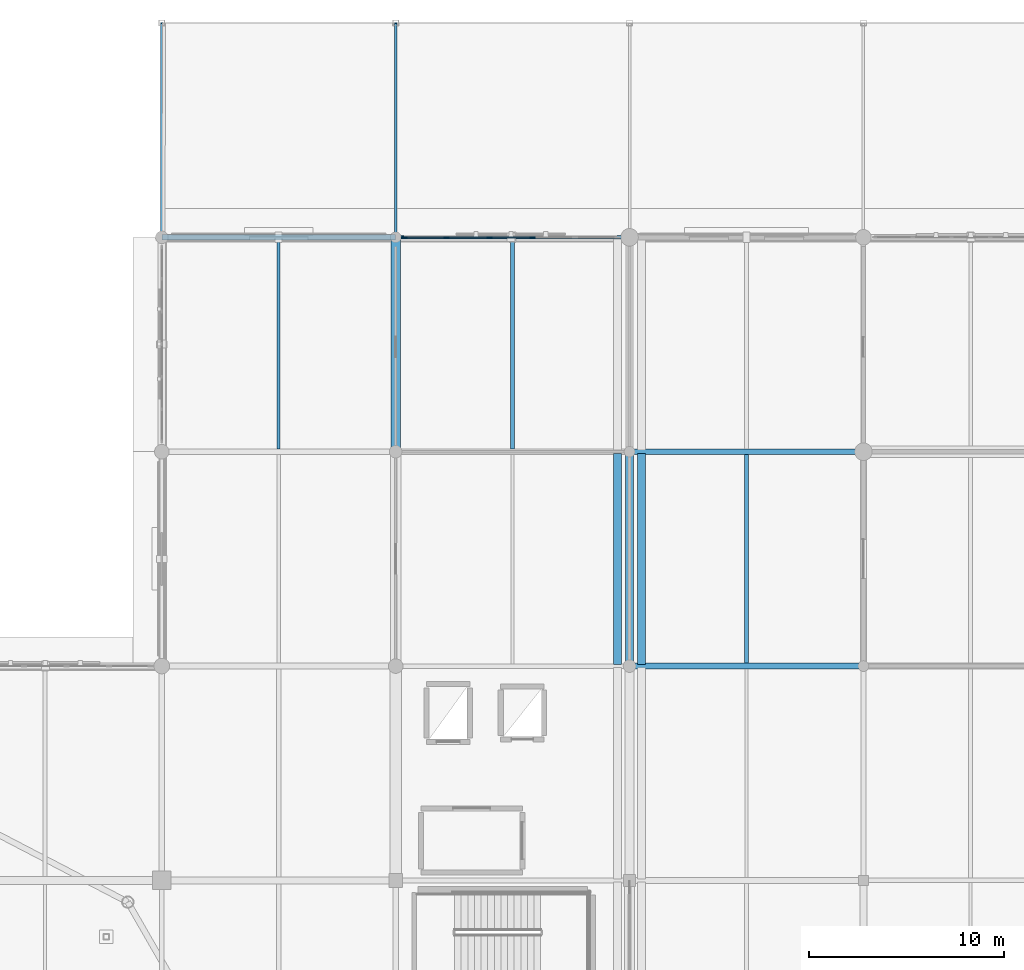
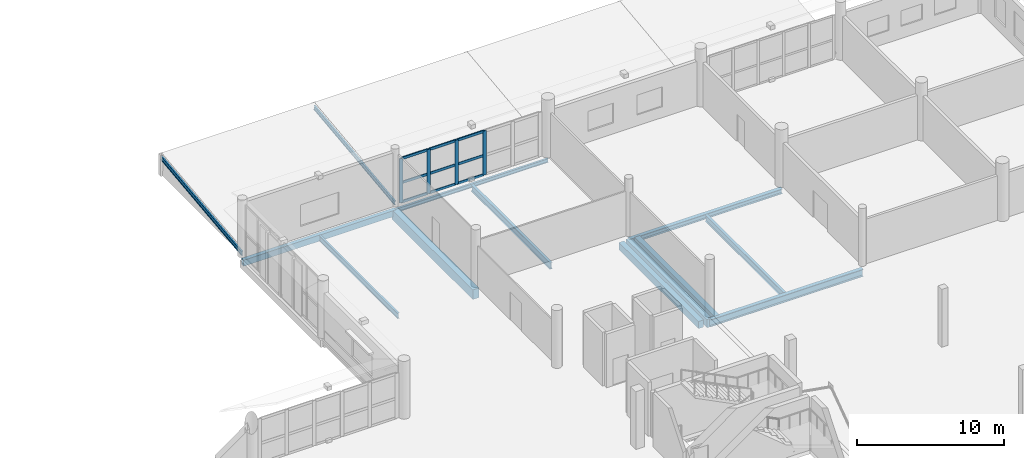
# One storey, part 68 of 143: 13 beams, 13 members, 1 element without a shape of its own.
"""IFC4 building model written with IfcOpenShell, lengths in metres."""

import ifcopenshell
import ifcopenshell.guid

model = None  # the IFC model being written
_history = None  # IfcOwnerHistory: only IFC2X3 demands one
_inside = {}  # id of a spatial element -> (the spatial element, [elements in it])
_under = {}  # id of a project, library or spatial element -> (it, [spatial elements below it])
_declared = {}  # id of a project -> (the project, [libraries it declares])
_typed = {}  # id of a type object -> (the type object, [elements of that type])
_made_of = {}  # id of a material, layer set ... -> (it, [elements and type objects made of it])


def new_model(schema):
    """Start an empty IFC model of exactly this schema.

    Asked for "IFC4X3", IfcOpenShell would pick the latest addendum, in which some entities
    have other attributes; the version numbers below select the first issue.
    IFC2X3 requires an IfcOwnerHistory on every rooted entity: one is made here for all.
    """
    global model, _history
    if schema == "IFC4X3":
        model = ifcopenshell.file(schema_version=(4, 3, 0, 0))
    else:
        model = ifcopenshell.file(schema=schema)
    _inside.clear()
    _under.clear()
    _declared.clear()
    _typed.clear()
    _made_of.clear()
    _history = None
    if model.schema == "IFC2X3":
        org = make("IfcOrganization", Name="unknown")
        user = make(
            "IfcPersonAndOrganization",
            ThePerson=make("IfcPerson", FamilyName="unknown"),
            TheOrganization=org,
        )
        app = make(
            "IfcApplication",
            ApplicationDeveloper=org,
            Version="unknown",
            ApplicationFullName="unknown",
            ApplicationIdentifier="unknown",
        )
        _history = make(
            "IfcOwnerHistory",
            OwningUser=user,
            OwningApplication=app,
            ChangeAction="ADDED",
            CreationDate=0,
        )
    return model


def make(cls, **values):
    """One entity of the class cls with the attributes given. An attribute that is None is left unset."""
    return model.create_entity(
        cls, **{name: value for name, value in values.items() if value is not None}
    )


def rooted(cls, **values):
    """An entity with a GlobalId (a new one), such as an element, a storey or a relation."""
    return make(cls, GlobalId=ifcopenshell.guid.new(), OwnerHistory=_history, **values)


def si_unit(unit_type, name, prefix=None):
    """IfcSIUnit, for example si_unit("LENGTHUNIT", "METRE", prefix="MILLI")."""
    return make("IfcSIUnit", UnitType=unit_type, Prefix=prefix, Name=name)


def assignment(units):
    """IfcUnitAssignment: the units of a project."""
    return None if units is None else make("IfcUnitAssignment", Units=units)


def point(xyz):
    """IfcCartesianPoint."""
    return None if xyz is None else make("IfcCartesianPoint", Coordinates=xyz)


def direction(xyz):
    """IfcDirection."""
    return None if xyz is None else make("IfcDirection", DirectionRatios=xyz)


def frame(location, z_axis=None, x_axis=None):
    """IfcAxis2Placement3D, a coordinate frame: its origin and axes. An axis left out is left unset."""
    return make(
        "IfcAxis2Placement3D",
        Location=point(location),
        Axis=direction(z_axis),
        RefDirection=direction(x_axis),
    )


def frame_2d(location, x_axis=None):
    """IfcAxis2Placement2D, a coordinate frame in the plane: its origin and x axis."""
    return make(
        "IfcAxis2Placement2D", Location=point(location), RefDirection=direction(x_axis)
    )


def origin():
    """The frame at (0, 0, 0) with its axes left unset."""
    return frame((0.0, 0.0, 0.0))


def origin_2d():
    """The frame at (0, 0) in the plane with its x axis left unset."""
    return frame_2d((0.0, 0.0))


def place(relative_to, where):
    """IfcLocalPlacement: puts the frame where relative to a parent placement (None: the world)."""
    return make(
        "IfcLocalPlacement", PlacementRelTo=relative_to, RelativePlacement=where
    )


def context(
    kind, dimensions, precision=None, world=None, true_north=None, identifier=None
):
    """IfcGeometricRepresentationContext, for example the 3D "Model" context."""
    return make(
        "IfcGeometricRepresentationContext",
        ContextIdentifier=identifier,
        ContextType=kind,
        CoordinateSpaceDimension=dimensions,
        Precision=precision,
        WorldCoordinateSystem=world,
        TrueNorth=true_north,
    )


def subcontext(parent, identifier, kind, view, scale=None):
    """IfcGeometricRepresentationSubContext, for example "Body" below "Model"."""
    return make(
        "IfcGeometricRepresentationSubContext",
        ContextIdentifier=identifier,
        ContextType=kind,
        ParentContext=parent,
        TargetScale=scale,
        TargetView=view,
    )


def project(units=None, contexts=None):
    """IfcProject with its units and contexts."""
    return rooted(
        "IfcProject",
        Name="project",
        RepresentationContexts=contexts,
        UnitsInContext=assignment(units),
    )


def spatial(cls, under=None, at=None, **own):
    """A site, building, storey or space (cls), placed at a placement, below another one or the project."""
    s = rooted(cls, ObjectPlacement=at, **own)
    if under is not None:
        _under.setdefault(under.id(), (under, []))[1].append(s)
    return s


def profile(cls, at=None, kind="AREA", **sizes):
    """A parametric profile (cls). Its sizes go by their IFC names, for example OverallWidth=200.0."""
    return make(cls, ProfileType=kind, Position=at, **sizes)


def rectangle(**sizes):
    """IfcRectangleProfileDef."""
    return profile("IfcRectangleProfileDef", **sizes)


def hollow_rectangle(**sizes):
    """IfcRectangleHollowProfileDef."""
    return profile("IfcRectangleHollowProfileDef", **sizes)


def i_section(**sizes):
    """IfcIShapeProfileDef."""
    return profile("IfcIShapeProfileDef", **sizes)


def extrude(swept, where, along, depth):
    """IfcExtrudedAreaSolid: the profile swept, set in the frame where, extruded along a direction by depth."""
    return make(
        "IfcExtrudedAreaSolid",
        SweptArea=swept,
        Position=where,
        ExtrudedDirection=direction(along),
        Depth=depth,
    )


def shape(context_of_items, identifier, shape_type, items):
    """IfcShapeRepresentation: the items that make up one representation, for example the "Body"."""
    return make(
        "IfcShapeRepresentation",
        ContextOfItems=context_of_items,
        RepresentationIdentifier=identifier,
        RepresentationType=shape_type,
        Items=items,
    )


def material(Name=None, Category=None):
    """IfcMaterial."""
    return make("IfcMaterial", Name=Name, Category=Category)


def material_profile(
    of_material, cross_section, Name=None, Category=None, Priority=None
):
    """IfcMaterialProfile: a cross section and its material."""
    return make(
        "IfcMaterialProfile",
        Name=Name,
        Material=of_material,
        Profile=cross_section,
        Priority=Priority,
        Category=Category,
    )


def profile_set(profiles, Name=None, composite=None):
    """IfcMaterialProfileSet."""
    return make(
        "IfcMaterialProfileSet",
        Name=Name,
        MaterialProfiles=profiles,
        CompositeProfile=composite,
    )


def made_of(thing, what):
    """Note that an element or type object is made of a material, layer set ...; save() writes the relation."""
    if what is not None:
        _made_of.setdefault(what.id(), (what, []))[1].append(thing)
    return thing


def type_object(cls, material=None, **own):
    """A type object (cls), such as IfcWallType, which elements share."""
    return made_of(rooted(cls, **own), material)


def element(
    cls,
    number,
    at=None,
    inside=None,
    cuts=None,
    type_object=None,
    material=None,
    context=None,
    identifier="Body",
    shape_type=None,
    held_by="IfcProductDefinitionShape",
    body=None,
    shapes=None,
    **own,
):
    """One element of the class cls, such as IfcWall. Its Tag is "e" and its number.

    at: its placement. inside: the storey or other place that contains it. cuts: it is an
    opening in that element (IfcRelVoidsElement). A single representation is given by context,
    identifier, shape_type and body (its items); several are given by shapes. held_by: the class
    of the entity that holds the representations. save() writes the other relations.
    """
    e = rooted(cls, Tag="e%d" % number, ObjectPlacement=at, **own)
    if body is not None:
        shapes = [shape(context, identifier, shape_type, body)]
    if shapes is not None:
        e.Representation = make(held_by, Representations=shapes)
    if inside is not None:
        _inside.setdefault(inside.id(), (inside, []))[1].append(e)
    if cuts is not None:
        rooted(
            "IfcRelVoidsElement", RelatingBuildingElement=cuts, RelatedOpeningElement=e
        )
    if type_object is not None:
        _typed.setdefault(type_object.id(), (type_object, []))[1].append(e)
    return made_of(e, material)


def aggregate(whole, parts):
    """IfcRelAggregates: a whole, such as a stair, and the parts it consists of."""
    return rooted("IfcRelAggregates", RelatingObject=whole, RelatedObjects=parts)


def save(model, path):
    """Write the relations noted so far, then the file.

    IfcRelAggregates (storeys below a building ...), IfcRelContainedInSpatialStructure (elements
    in a storey), IfcRelDefinesByType, IfcRelAssociatesMaterial and IfcRelDeclares: one each for
    every whole, place, type object, material and project.
    """
    for whole, parts in _under.values():
        aggregate(whole, parts)
    for where, things in _inside.values():
        rooted(
            "IfcRelContainedInSpatialStructure",
            RelatedElements=things,
            RelatingStructure=where,
        )
    for kind, things in _typed.values():
        rooted("IfcRelDefinesByType", RelatedObjects=things, RelatingType=kind)
    for what, things in _made_of.values():
        rooted("IfcRelAssociatesMaterial", RelatedObjects=things, RelatingMaterial=what)
    for by, libraries in _declared.values():
        rooted("IfcRelDeclares", RelatingContext=by, RelatedDefinitions=libraries)
    model.write(path)


model = new_model("IFC4")

# Units and contexts
model_context = context("Model", 3, precision=1e-05, world=origin(), true_north=direction((0.0, 1.0)))
body_context = subcontext(model_context, "Body", "Model", "MODEL_VIEW")
ifc_project = project(units=[si_unit("LENGTHUNIT", "METRE"), si_unit("AREAUNIT", "SQUARE_METRE"), si_unit("VOLUMEUNIT", "CUBIC_METRE"), si_unit("PLANEANGLEUNIT", "RADIAN"), si_unit("MASSUNIT", "GRAM", prefix="KILO")], contexts=[model_context])

# Site, building, storey
site_placement = place(None, origin())
site = spatial("IfcSite", under=ifc_project, at=site_placement, CompositionType="ELEMENT")
building_placement = place(site_placement, origin())
building = spatial("IfcBuilding", under=site, at=building_placement, Name="Luwafu Chhajja Arena", CompositionType="ELEMENT")
storey_placement = place(building_placement, frame((0.0, 0.0, 5.39990234375)))
storey = spatial("IfcBuildingStorey", under=building, at=storey_placement, Name="L01", CompositionType="ELEMENT", Elevation=5.39990234375)

# Beams
ifc_material_1 = material(Name="Steel S355", Category="steel")
ifc_material_profile_1 = material_profile(ifc_material_1, i_section(OverallWidth=0.1259765625, OverallDepth=0.353515625, WebThickness=0.006591796875, FlangeThickness=0.0107421875, at=origin_2d()), Name="UB 356x127x39")
ifc_profile_set_1 = profile_set([ifc_material_profile_1], Name="Steel S355")
beam_type_1 = type_object("IfcBeamType", Name="Canopy Joist UB 356x127x39", PredefinedType="JOIST", material=ifc_profile_set_1)
for number, where, z_axis, x_axis, name in (
    (1, (140.0, 121.0, 0.14013671875), (0.0, 0.993088327257, 0.11736939237), (-1.0, 0.0, 0.0), "L01 Cloister Roof Rafter 13/M-N"),
    (2, (152.0, 121.0, 0.14013671875), (0.0, 0.993088327257, 0.11736939237), (-1.0, 0.0, 0.0), "L01 Cloister Roof Rafter 14/M-N"),
):
    element("IfcBeam", number, at=place(storey_placement, frame(where, z_axis=z_axis, x_axis=x_axis)), inside=storey, type_object=beam_type_1, Name=name, PredefinedType="JOIST", context=body_context, shape_type="SweptSolid", body=[
        extrude(i_section(OverallWidth=0.1259765625, OverallDepth=0.353515625, WebThickness=0.006591796875, FlangeThickness=0.0107421875, at=origin_2d()), origin(), (0.0, 0.0, 1.0), 11.07666015625),
    ])
ifc_material_profile_2 = material_profile(ifc_material_1, i_section(OverallWidth=0.165771484375, OverallDepth=0.306640625, WebThickness=0.006591796875, FlangeThickness=0.01171875, at=origin_2d()), Name="UB 305x165x46")
ifc_profile_set_2 = profile_set([ifc_material_profile_2], Name="Steel S355")
beam_type_2 = type_object("IfcBeamType", Name="Concourse Edge Spandrel Beam UB 305x165x46", PredefinedType="SPANDREL", material=ifc_profile_set_2)
beam_1_placement = place(storey_placement, frame((152.0, 121.0, -0.483154296875), z_axis=(1.0, 0.0, 0.0), x_axis=(0.0, 1.0, 0.0)))
element("IfcBeam", 3, at=beam_1_placement, inside=storey, type_object=beam_type_2, Name="L01 Grid Beam 14-15/M", PredefinedType="SPANDREL", context=body_context, shape_type="SweptSolid", body=[
    extrude(i_section(OverallWidth=0.165771484375, OverallDepth=0.306640625, WebThickness=0.006591796875, FlangeThickness=0.01171875, at=origin_2d()), origin(), (0.0, 0.0, 1.0), 12.0),
])
ifc_material_profile_3 = material_profile(ifc_material_1, i_section(OverallWidth=0.15283203125, OverallDepth=0.45458984375, WebThickness=0.008056640625, FlangeThickness=0.01318359375, at=origin_2d()), Name="UB 457x152x60")
ifc_profile_set_3 = profile_set([ifc_material_profile_3], Name="Steel S355")
beam_type_3 = type_object("IfcBeamType", Name="Floor Joist UB 457x152x60", PredefinedType="JOIST", material=ifc_profile_set_3)
beam_2_placement = place(storey_placement, frame((146.0, 110.14990234375, -0.55712890625), z_axis=(0.0, 1.0, 0.0), x_axis=(-1.0, 0.0, 0.0)))
element("IfcBeam", 4, at=beam_2_placement, inside=storey, type_object=beam_type_3, Name="L01 Secondary Joist 13-14/L", PredefinedType="JOIST", context=body_context, shape_type="SweptSolid", body=[
    extrude(i_section(OverallWidth=0.15283203125, OverallDepth=0.45458984375, WebThickness=0.008056640625, FlangeThickness=0.01318359375, at=origin_2d()), origin(), (0.0, 0.0, 1.0), 10.7001953125),
])
ifc_material_profile_4 = material_profile(ifc_material_1, i_section(OverallWidth=0.2099609375, OverallDepth=0.53662109375, WebThickness=0.0107421875, FlangeThickness=0.017333984375, at=origin_2d()), Name="UB 533x210x101")
ifc_profile_set_4 = profile_set([ifc_material_profile_4], Name="Steel S355")
beam_type_4 = type_object("IfcBeamType", Name="Floor Joist UB 533x210x101", PredefinedType="JOIST", material=ifc_profile_set_4)
beam_3_placement = place(storey_placement, frame((158.0, 110.14990234375, -0.59814453125), z_axis=(0.0, 1.0, 0.0), x_axis=(-1.0, 0.0, 0.0)))
element("IfcBeam", 5, at=beam_3_placement, inside=storey, type_object=beam_type_4, Name="L01 Secondary Joist 14-15/L", PredefinedType="JOIST", context=body_context, shape_type="SweptSolid", body=[
    extrude(i_section(OverallWidth=0.2099609375, OverallDepth=0.53662109375, WebThickness=0.0107421875, FlangeThickness=0.017333984375, at=origin_2d()), origin(), (0.0, 0.0, 1.0), 10.767333984375),
])
beam_4_placement = place(storey_placement, frame((170.0, 99.14990234375, -0.59814453125), z_axis=(0.0, 1.0, 0.0), x_axis=(-1.0, 0.0, 0.0)))
element("IfcBeam", 6, at=beam_4_placement, inside=storey, type_object=beam_type_4, Name="L01 Secondary Joist 15-16/K", PredefinedType="JOIST", context=body_context, shape_type="SweptSolid", body=[
    extrude(i_section(OverallWidth=0.2099609375, OverallDepth=0.53662109375, WebThickness=0.0107421875, FlangeThickness=0.017333984375, at=origin_2d()), origin(), (0.0, 0.0, 1.0), 10.7001953125),
])
ifc_material_2 = material(Name="Concrete C35/45", Category="concrete")
ifc_material_profile_5 = material_profile(ifc_material_2, rectangle(XDim=0.5, YDim=0.800048828125, at=origin_2d()), Name="RC 500x800")
ifc_profile_set_5 = profile_set([ifc_material_profile_5], Name="Concrete C35/45")
beam_type_5 = type_object("IfcBeamType", Name="Hospitality Primary Beam RC 500x800", PredefinedType="BEAM", material=ifc_profile_set_5)
beam_5_placement = place(storey_placement, frame((152.0, 110.0, -0.72998046875), z_axis=(0.0, 1.0, 0.0), x_axis=(-1.0, 0.0, 0.0)))
element("IfcBeam", 7, at=beam_5_placement, inside=storey, type_object=beam_type_5, Name="L01 Grid Beam 14/L-M", PredefinedType="BEAM", context=body_context, shape_type="SweptSolid", body=[
    extrude(rectangle(XDim=0.5, YDim=0.800048828125, at=origin_2d()), origin(), (0.0, 0.0, 1.0), 11.0),
])

# Curtain wall, members
ifc_material_3 = material(Name="Anodised bronze aluminium", Category="aluminium")
curtain_wall_type = type_object("IfcCurtainWallType", Name="Pishtaq Monumental Portal Curtain Wall", PredefinedType="USERDEFINED", material=ifc_material_3)
curtain_wall_placement = place(storey_placement, origin())
curtain_wall = element("IfcCurtainWall", 8, at=curtain_wall_placement, inside=storey, type_object=curtain_wall_type, Name="L01 Curtain Wall CWG-L01-H13_11", ObjectType="CURTAIN WALL", PredefinedType="USERDEFINED")
ifc_material_profile_6 = material_profile(ifc_material_3, rectangle(XDim=0.080078125, YDim=0.280029296875, at=origin_2d()), Name="CWM 80x280")
ifc_profile_set_6 = profile_set([ifc_material_profile_6], Name="Anodised bronze aluminium")
member_type_1 = type_object("IfcMemberType", Name="Pishtaq Portal Mullion 80x280", PredefinedType="MULLION", material=ifc_profile_set_6)
member_1_placement = place(storey_placement, frame((152.455078125, 121.0, 0.030029296875), z_axis=(0.0, 0.0, 1.0), x_axis=(0.0, 1.0, 0.0)))
member_1 = element("IfcMember", 9, at=member_1_placement, type_object=member_type_1, Name="CW-04 mullion 1", PredefinedType="MULLION", context=body_context, shape_type="SweptSolid", body=[
    extrude(rectangle(XDim=0.080078125, YDim=0.280029296875, at=origin_2d()), origin(), (0.0, 0.0, 1.0), 3.675048828125),
])
member_2_placement = place(storey_placement, frame((154.614013671875, 121.0, 0.030029296875), z_axis=(0.0, 0.0, 1.0), x_axis=(0.0, 1.0, 0.0)))
member_2 = element("IfcMember", 10, at=member_2_placement, type_object=member_type_1, Name="CW-04 mullion 2", PredefinedType="MULLION", context=body_context, shape_type="SweptSolid", body=[
    extrude(rectangle(XDim=0.080078125, YDim=0.280029296875, at=origin_2d()), origin(), (0.0, 0.0, 1.0), 3.675048828125),
])
member_3_placement = place(storey_placement, frame((156.81298828125, 121.0, 0.030029296875), z_axis=(0.0, 0.0, 1.0), x_axis=(0.0, 1.0, 0.0)))
member_3 = element("IfcMember", 11, at=member_3_placement, type_object=member_type_1, Name="CW-04 mullion 3", PredefinedType="MULLION", context=body_context, shape_type="SweptSolid", body=[
    extrude(rectangle(XDim=0.080078125, YDim=0.280029296875, at=origin_2d()), origin(), (0.0, 0.0, 1.0), 3.675048828125),
])
member_4_placement = place(storey_placement, frame((159.011962890625, 121.0, 0.030029296875), z_axis=(0.0, 0.0, 1.0), x_axis=(0.0, 1.0, 0.0)))
member_4 = element("IfcMember", 12, at=member_4_placement, type_object=member_type_1, Name="CW-04 mullion 4", PredefinedType="MULLION", context=body_context, shape_type="SweptSolid", body=[
    extrude(rectangle(XDim=0.080078125, YDim=0.280029296875, at=origin_2d()), origin(), (0.0, 0.0, 1.0), 3.675048828125),
])
ifc_material_profile_7 = material_profile(ifc_material_3, rectangle(XDim=0.080078125, YDim=0.2099609375, at=origin_2d()), Name="CWT 80x210")
ifc_profile_set_7 = profile_set([ifc_material_profile_7], Name="Anodised bronze aluminium")
member_type_2 = type_object("IfcMemberType", Name="Pishtaq Portal Transom 80x210", PredefinedType="USERDEFINED", material=ifc_profile_set_7)
member_5_placement = place(storey_placement, frame((152.4951171875, 121.0, 0.070068359375), z_axis=(1.0, 0.0, 0.0), x_axis=(0.0, 1.0, 0.0)))
member_5 = element("IfcMember", 13, at=member_5_placement, type_object=member_type_2, Name="CW-04 transom 1.1", ObjectType="TRANSOM", PredefinedType="USERDEFINED", context=body_context, shape_type="SweptSolid", body=[
    extrude(rectangle(XDim=0.080078125, YDim=0.2099609375, at=origin_2d()), origin(), (0.0, 0.0, 1.0), 2.078857421875),
])
member_6_placement = place(storey_placement, frame((152.4951171875, 121.0, 1.66748046875), z_axis=(1.0, 0.0, 0.0), x_axis=(0.0, 1.0, 0.0)))
member_6 = element("IfcMember", 14, at=member_6_placement, type_object=member_type_2, Name="CW-04 transom 1.2", ObjectType="TRANSOM", PredefinedType="USERDEFINED", context=body_context, shape_type="SweptSolid", body=[
    extrude(rectangle(XDim=0.080078125, YDim=0.2099609375, at=origin_2d()), origin(), (0.0, 0.0, 1.0), 2.078857421875),
])
member_7_placement = place(storey_placement, frame((152.4951171875, 121.0, 3.6650390625), z_axis=(1.0, 0.0, 0.0), x_axis=(0.0, 1.0, 0.0)))
member_7 = element("IfcMember", 15, at=member_7_placement, type_object=member_type_2, Name="CW-04 transom 1.3", ObjectType="TRANSOM", PredefinedType="USERDEFINED", context=body_context, shape_type="SweptSolid", body=[
    extrude(rectangle(XDim=0.080078125, YDim=0.2099609375, at=origin_2d()), origin(), (0.0, 0.0, 1.0), 2.078857421875),
])
member_8_placement = place(storey_placement, frame((154.654052734375, 121.0, 0.070068359375), z_axis=(1.0, 0.0, 0.0), x_axis=(0.0, 1.0, 0.0)))
member_8 = element("IfcMember", 16, at=member_8_placement, type_object=member_type_2, Name="CW-04 transom 2.1", ObjectType="TRANSOM", PredefinedType="USERDEFINED", context=body_context, shape_type="SweptSolid", body=[
    extrude(rectangle(XDim=0.080078125, YDim=0.2099609375, at=origin_2d()), origin(), (0.0, 0.0, 1.0), 2.118896484375),
])
member_9_placement = place(storey_placement, frame((154.654052734375, 121.0, 1.66748046875), z_axis=(1.0, 0.0, 0.0), x_axis=(0.0, 1.0, 0.0)))
member_9 = element("IfcMember", 17, at=member_9_placement, type_object=member_type_2, Name="CW-04 transom 2.2", ObjectType="TRANSOM", PredefinedType="USERDEFINED", context=body_context, shape_type="SweptSolid", body=[
    extrude(rectangle(XDim=0.080078125, YDim=0.2099609375, at=origin_2d()), origin(), (0.0, 0.0, 1.0), 2.118896484375),
])
member_10_placement = place(storey_placement, frame((154.654052734375, 121.0, 3.6650390625), z_axis=(1.0, 0.0, 0.0), x_axis=(0.0, 1.0, 0.0)))
member_10 = element("IfcMember", 18, at=member_10_placement, type_object=member_type_2, Name="CW-04 transom 2.3", ObjectType="TRANSOM", PredefinedType="USERDEFINED", context=body_context, shape_type="SweptSolid", body=[
    extrude(rectangle(XDim=0.080078125, YDim=0.2099609375, at=origin_2d()), origin(), (0.0, 0.0, 1.0), 2.118896484375),
])
member_11_placement = place(storey_placement, frame((156.85302734375, 121.0, 0.070068359375), z_axis=(1.0, 0.0, 0.0), x_axis=(0.0, 1.0, 0.0)))
member_11 = element("IfcMember", 19, at=member_11_placement, type_object=member_type_2, Name="CW-04 transom 3.1", ObjectType="TRANSOM", PredefinedType="USERDEFINED", context=body_context, shape_type="SweptSolid", body=[
    extrude(rectangle(XDim=0.080078125, YDim=0.2099609375, at=origin_2d()), origin(), (0.0, 0.0, 1.0), 2.118896484375),
])
member_12_placement = place(storey_placement, frame((156.85302734375, 121.0, 1.66748046875), z_axis=(1.0, 0.0, 0.0), x_axis=(0.0, 1.0, 0.0)))
member_12 = element("IfcMember", 20, at=member_12_placement, type_object=member_type_2, Name="CW-04 transom 3.2", ObjectType="TRANSOM", PredefinedType="USERDEFINED", context=body_context, shape_type="SweptSolid", body=[
    extrude(rectangle(XDim=0.080078125, YDim=0.2099609375, at=origin_2d()), origin(), (0.0, 0.0, 1.0), 2.118896484375),
])
member_13_placement = place(storey_placement, frame((156.85302734375, 121.0, 3.6650390625), z_axis=(1.0, 0.0, 0.0), x_axis=(0.0, 1.0, 0.0)))
member_13 = element("IfcMember", 21, at=member_13_placement, type_object=member_type_2, Name="CW-04 transom 3.3", ObjectType="TRANSOM", PredefinedType="USERDEFINED", context=body_context, shape_type="SweptSolid", body=[
    extrude(rectangle(XDim=0.080078125, YDim=0.2099609375, at=origin_2d()), origin(), (0.0, 0.0, 1.0), 2.118896484375),
])
aggregate(curtain_wall, [member_1, member_2, member_3, member_4, member_5, member_6, member_7, member_8, member_9, member_10, member_11, member_12, member_13])

# Beams
ifc_material_profile_8 = material_profile(ifc_material_1, hollow_rectangle(XDim=0.300048828125, YDim=0.5, WallThickness=0.02001953125, at=origin_2d()), Name="RHS 500x300x20")
ifc_profile_set_8 = profile_set([ifc_material_profile_8], Name="Steel S355")
beam_type_6 = type_object("IfcBeamType", Name="Pleated Drum Spandrel Beam RHS 500x300", PredefinedType="SPANDREL", material=ifc_profile_set_8)
beam_6_placement = place(storey_placement, frame((140.0, 121.0, -0.579833984375), z_axis=(1.0, 0.0, 0.0), x_axis=(0.0, 1.0, 0.0)))
element("IfcBeam", 22, at=beam_6_placement, inside=storey, type_object=beam_type_6, Name="L01 Grid Beam 13-14/M", PredefinedType="SPANDREL", context=body_context, shape_type="SweptSolid", body=[
    extrude(hollow_rectangle(XDim=0.300048828125, YDim=0.5, WallThickness=0.02001953125, at=origin_2d()), origin(), (0.0, 0.0, 1.0), 12.0),
])
ifc_material_profile_9 = material_profile(ifc_material_2, rectangle(XDim=0.39990234375, YDim=0.60009765625, at=origin_2d()), Name="RC 400x600")
ifc_profile_set_9 = profile_set([ifc_material_profile_9], Name="Concrete C35/45")
beam_type_7 = type_object("IfcBeamType", Name="Podium Perimeter Spandrel RC 400x600", PredefinedType="SPANDREL", material=ifc_profile_set_9)
for number, where, z_axis, x_axis, name in (
    (23, (163.3798828125, 99.080078125, -0.6298828125), (0.0, 1.0, 0.0), (-1.0, 0.0, 0.0), "L01 Movement Joint MJ2W Seat Girder 09"),
    (24, (164.6201171875, 99.080078125, -0.6298828125), (0.0, 1.0, 0.0), (-1.0, 0.0, 0.0), "L01 Movement Joint MJ2E Seat Girder 09"),
):
    element("IfcBeam", number, at=place(storey_placement, frame(where, z_axis=z_axis, x_axis=x_axis)), inside=storey, type_object=beam_type_7, Name=name, PredefinedType="SPANDREL", context=body_context, shape_type="SweptSolid", body=[
        extrude(rectangle(XDim=0.39990234375, YDim=0.60009765625, at=origin_2d()), origin(), (0.0, 0.0, 1.0), 10.83984375),
    ])
ifc_material_profile_10 = material_profile(ifc_material_1, i_section(OverallWidth=0.300048828125, OverallDepth=0.60009765625, WebThickness=0.015380859375, FlangeThickness=0.030029296875, at=origin_2d()), Name="HEB 600")
ifc_profile_set_10 = profile_set([ifc_material_profile_10], Name="Steel S355")
beam_type_8 = type_object("IfcBeamType", Name="Steel Gallery Girder HEB 600", PredefinedType="BEAM", material=ifc_profile_set_10)
beam_7_placement = place(storey_placement, frame((164.0, 99.0, -0.6298828125), z_axis=(1.0, 0.0, 0.0), x_axis=(0.0, 1.0, 0.0)))
element("IfcBeam", 25, at=beam_7_placement, inside=storey, type_object=beam_type_8, Name="L01 Grid Beam 15-16/K", PredefinedType="BEAM", context=body_context, shape_type="SweptSolid", body=[
    extrude(i_section(OverallWidth=0.300048828125, OverallDepth=0.60009765625, WebThickness=0.015380859375, FlangeThickness=0.030029296875, at=origin_2d()), origin(), (0.0, 0.0, 1.0), 12.0),
])
ifc_material_profile_11 = material_profile(ifc_material_1, i_section(OverallWidth=0.300048828125, OverallDepth=0.39990234375, WebThickness=0.013427734375, FlangeThickness=0.02392578125, at=origin_2d()), Name="HEB 400")
ifc_profile_set_11 = profile_set([ifc_material_profile_11], Name="Steel S355")
beam_type_9 = type_object("IfcBeamType", Name="Steel Rigging Grid Beam HEB 400", PredefinedType="BEAM", material=ifc_profile_set_11)
beam_8_placement = place(storey_placement, frame((164.0, 110.0, -0.52978515625), z_axis=(1.0, 0.0, 0.0), x_axis=(0.0, 1.0, 0.0)))
element("IfcBeam", 26, at=beam_8_placement, inside=storey, type_object=beam_type_9, Name="L01 Grid Beam 15-16/L", PredefinedType="BEAM", context=body_context, shape_type="SweptSolid", body=[
    extrude(i_section(OverallWidth=0.300048828125, OverallDepth=0.39990234375, WebThickness=0.013427734375, FlangeThickness=0.02392578125, at=origin_2d()), origin(), (0.0, 0.0, 1.0), 12.0),
])
ifc_material_profile_12 = material_profile(ifc_material_2, rectangle(XDim=0.39990234375, YDim=0.699951171875, at=origin_2d()), Name="RC 400x700")
ifc_profile_set_12 = profile_set([ifc_material_profile_12], Name="Concrete C35/45")
beam_type_10 = type_object("IfcBeamType", Name="Wing Frame Beam RC 400x700", PredefinedType="BEAM", material=ifc_profile_set_12)
beam_9_placement = place(storey_placement, frame((164.0, 99.0, -0.679931640625), z_axis=(0.0, 1.0, 0.0), x_axis=(-1.0, 0.0, 0.0)))
element("IfcBeam", 27, at=beam_9_placement, inside=storey, type_object=beam_type_10, Name="L01 Grid Beam 15/K-L", PredefinedType="BEAM", context=body_context, shape_type="SweptSolid", body=[
    extrude(rectangle(XDim=0.39990234375, YDim=0.699951171875, at=origin_2d()), origin(), (0.0, 0.0, 1.0), 11.0),
])

save(model, "model.ifc")
